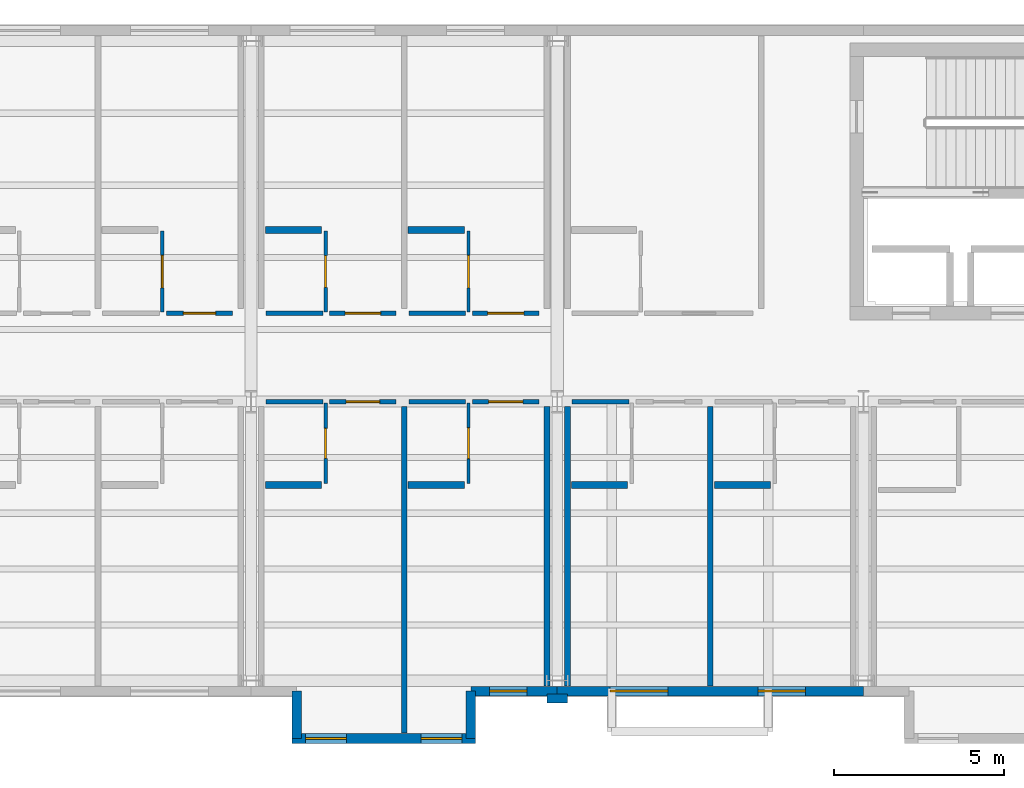
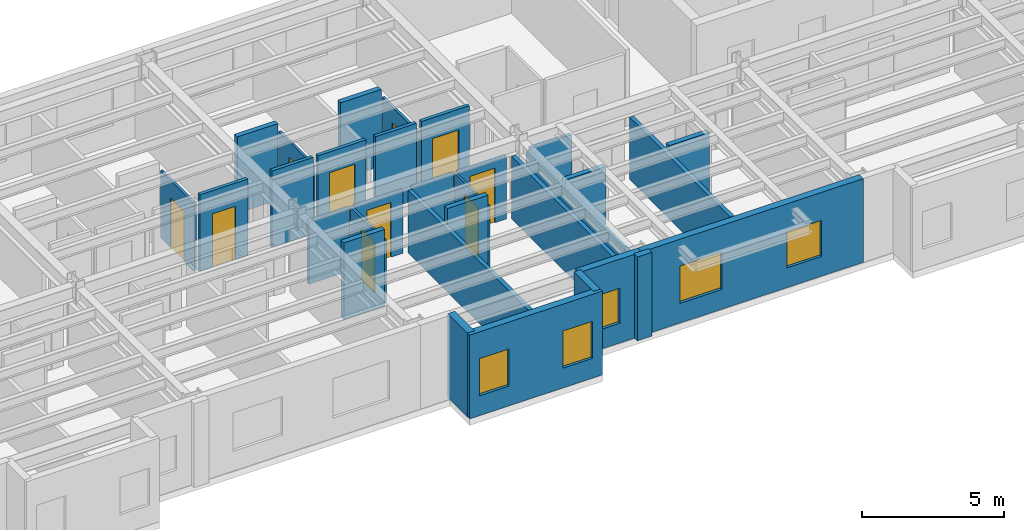
# One storey, part 14 of 27: 31 walls, 10 doors, 5 windows, 15 openings.
"""IFC4 building model written with IfcOpenShell, lengths in metres."""

from ifc_helpers import new_model, si_unit, direction, frame, frame_2d, origin, place, context, subcontext, project, spatial, rectangle, extrude, material, layer, layer_set, type_object, element, fill, save


model = new_model("IFC4")

# Units and contexts
model_context = context("Model", 3, precision=1e-05, world=origin(), true_north=direction((0.0, 1.0)))
body_context = subcontext(model_context, "Body", "Model", "MODEL_VIEW")
ifc_project = project(units=[si_unit("LENGTHUNIT", "METRE"), si_unit("AREAUNIT", "SQUARE_METRE"), si_unit("VOLUMEUNIT", "CUBIC_METRE"), si_unit("PLANEANGLEUNIT", "RADIAN"), si_unit("MASSUNIT", "GRAM", prefix="KILO")], contexts=[model_context])

# Site, building, storey
site_placement = place(None, origin())
site = spatial("IfcSite", under=ifc_project, at=site_placement, CompositionType="ELEMENT")
building_placement = place(site_placement, origin())
building = spatial("IfcBuilding", under=site, at=building_placement, Name="Sollismere Congress Hotel", CompositionType="ELEMENT")
storey_placement = place(building_placement, frame((0.0, 0.0, 27.0)))
storey = spatial("IfcBuildingStorey", under=building, at=storey_placement, Name="L06", CompositionType="ELEMENT", Elevation=27.0)

# Wall, opening, window
ifc_material_1 = material(Name="Colorado Buff Sandstone Rainscreen on Insulated Backup", Category="masonry")
ifc_layer_1 = layer(ifc_material_1, 0.284912109375, Name="Colorado Buff Sandstone Rainscreen on Insulated Backup")
ifc_layer_set_1 = layer_set([ifc_layer_1], Name="Colorado Buff Sandstone Rainscreen on Insulated Backup")
wall_type_1 = type_object("IfcWallType", Name="WL-EXT285", PredefinedType="STANDARD", material=ifc_layer_set_1)
wall_1_placement = place(storey_placement, frame((82.4599609375, -0.31005859375, 0.0), z_axis=(0.0, 0.0, 1.0), x_axis=(1.0, 0.0, 0.0)))
wall_1 = element("IfcWall", 1, at=wall_1_placement, inside=storey, type_object=wall_type_1, Name="Exterior wall EW-L06-665", PredefinedType="STANDARD", context=body_context, shape_type="SweptSolid", body=[
    extrude(rectangle(XDim=2.5400390625, YDim=0.284912109375, at=frame_2d((1.27001953125, 0.0))), origin(), (0.0, 0.0, 1.0), 3.60009765625),
])
opening_1_placement = place(wall_1_placement, frame((0.544921875, 0.0, 0.85009765625)))
opening_1 = element("IfcOpeningElement", 2, at=opening_1_placement, cuts=wall_1, Name="Opening W-L06-493", PredefinedType="OPENING", context=body_context, shape_type="SweptSolid", body=[
    extrude(rectangle(XDim=1.10009765625, YDim=1.5, at=frame_2d((0.550048828125, 0.75))), frame((0.0, 0.15234375, 0.0), z_axis=(0.0, -1.0, 0.0), x_axis=(1.0, 0.0, 0.0)), (0.0, 0.0, 1.0), 0.304931640625),
])
ifc_material_2 = material(Name="Thermally Broken Bronze Aluminum & Low-E Glass", Category="aluminium")
window_type_1 = type_object("IfcWindowType", Name="WN-P110x150", PartitioningType="SINGLE_PANEL", PredefinedType="WINDOW", material=ifc_material_2)
window_1_placement = place(opening_1_placement, origin())
window_1 = element("IfcWindow", 3, at=window_1_placement, inside=storey, type_object=window_type_1, Name="WIN-W-L06-493", OverallHeight=1.5, OverallWidth=1.10009765625, PartitioningType="SINGLE_PANEL", PredefinedType="WINDOW", context=body_context, shape_type="SweptSolid", body=[
    extrude(rectangle(XDim=1.10009765625, YDim=1.5, at=frame_2d((0.550048828125, 0.75))), frame((0.0, 0.030029296875, 0.0), z_axis=(0.0, -1.0, 0.0), x_axis=(1.0, 0.0, 0.0)), (0.0, 0.0, 1.0), 0.06005859375),
])
fill(opening_1, window_1)

# Wall, openings, windows
wall_2_placement = place(storey_placement, frame((77.199951171875, -1.699951171875, 0.0), z_axis=(0.0, 0.0, 1.0), x_axis=(1.0, 0.0, 0.0)))
wall_2 = element("IfcWall", 4, at=wall_2_placement, inside=storey, type_object=wall_type_1, Name="Exterior wall EW-L06-666", PredefinedType="STANDARD", context=body_context, shape_type="SweptSolid", body=[
    extrude(rectangle(XDim=5.400146484375, YDim=0.284912109375, at=frame_2d((2.7001953125, 0.0))), origin(), (0.0, 0.0, 1.0), 3.60009765625),
])
opening_2_placement = place(wall_2_placement, frame((0.39990234375, 0.0, 0.85009765625)))
opening_2 = element("IfcOpeningElement", 5, at=opening_2_placement, cuts=wall_2, Name="Opening W-L06-494", PredefinedType="OPENING", context=body_context, shape_type="SweptSolid", body=[
    extrude(rectangle(XDim=1.199951171875, YDim=1.60009765625, at=frame_2d((0.60009765625, 0.800048828125))), frame((0.0, 0.15234375, 0.0), z_axis=(0.0, -1.0, 0.0), x_axis=(1.0, 0.0, 0.0)), (0.0, 0.0, 1.0), 0.304931640625),
])
opening_3_placement = place(wall_2_placement, frame((3.800048828125, 0.0, 0.85009765625)))
opening_3 = element("IfcOpeningElement", 6, at=opening_3_placement, cuts=wall_2, Name="Opening W-L06-495", PredefinedType="OPENING", context=body_context, shape_type="SweptSolid", body=[
    extrude(rectangle(XDim=1.199951171875, YDim=1.60009765625, at=frame_2d((0.60009765625, 0.800048828125))), frame((0.0, 0.15234375, 0.0), z_axis=(0.0, -1.0, 0.0), x_axis=(1.0, 0.0, 0.0)), (0.0, 0.0, 1.0), 0.304931640625),
])
window_type_2 = type_object("IfcWindowType", Name="WN-P120x160", PartitioningType="SINGLE_PANEL", PredefinedType="WINDOW", material=ifc_material_2)
window_2_placement = place(opening_2_placement, origin())
window_2 = element("IfcWindow", 7, at=window_2_placement, inside=storey, type_object=window_type_2, Name="WIN-W-L06-494", OverallHeight=1.60009765625, OverallWidth=1.199951171875, PartitioningType="SINGLE_PANEL", PredefinedType="WINDOW", context=body_context, shape_type="SweptSolid", body=[
    extrude(rectangle(XDim=1.199951171875, YDim=1.60009765625, at=frame_2d((0.60009765625, 0.800048828125))), frame((0.0, 0.030029296875, 0.0), z_axis=(0.0, -1.0, 0.0), x_axis=(1.0, 0.0, 0.0)), (0.0, 0.0, 1.0), 0.06005859375),
])
fill(opening_2, window_2)
window_3_placement = place(opening_3_placement, origin())
window_3 = element("IfcWindow", 8, at=window_3_placement, inside=storey, type_object=window_type_2, Name="WIN-W-L06-495", OverallHeight=1.60009765625, OverallWidth=1.199951171875, PartitioningType="SINGLE_PANEL", PredefinedType="WINDOW", context=body_context, shape_type="SweptSolid", body=[
    extrude(rectangle(XDim=1.199951171875, YDim=1.60009765625, at=frame_2d((0.60009765625, 0.800048828125))), frame((0.0, 0.030029296875, 0.0), z_axis=(0.0, -1.0, 0.0), x_axis=(1.0, 0.0, 0.0)), (0.0, 0.0, 1.0), 0.06005859375),
])
fill(opening_3, window_3)

# Walls
for number, where, z_axis, x_axis, name in (
    (9, (77.340087890625, -0.31005859375, 0.0), (0.0, 0.0, 1.0), (0.0, -1.0, 0.0), "Exterior wall EW-L06-667"),
    (10, (82.4599609375, -1.699951171875, 0.0), (0.0, 0.0, 1.0), (0.0, 1.0, 0.0), "Exterior wall EW-L06-668"),
):
    element("IfcWall", number, at=place(storey_placement, frame(where, z_axis=z_axis, x_axis=x_axis)), inside=storey, type_object=wall_type_1, Name=name, PredefinedType="STANDARD", context=body_context, shape_type="SweptSolid", body=[
        extrude(rectangle(XDim=1.389892578125, YDim=0.284912109375, at=frame_2d((0.69482421875, 0.0))), origin(), (0.0, 0.0, 1.0), 3.60009765625),
    ])

# Wall, openings, windows
wall_3_placement = place(storey_placement, frame((85.0, -0.31005859375, 0.0), z_axis=(0.0, 0.0, 1.0), x_axis=(1.0, 0.0, 0.0)))
wall_3 = element("IfcWall", 11, at=wall_3_placement, inside=storey, type_object=wall_type_1, Name="Exterior wall EW-L06-669", PredefinedType="STANDARD", context=body_context, shape_type="SweptSolid", body=[
    extrude(rectangle(XDim=9.0, YDim=0.284912109375, at=frame_2d((4.5, 0.0))), origin(), (0.0, 0.0, 1.0), 3.60009765625),
])
opening_4_placement = place(wall_3_placement, frame((1.550048828125, 0.0, 0.85009765625)))
opening_4 = element("IfcOpeningElement", 12, at=opening_4_placement, cuts=wall_3, Name="Opening W-L06-496", PredefinedType="OPENING", context=body_context, shape_type="SweptSolid", body=[
    extrude(rectangle(XDim=1.699951171875, YDim=1.60009765625, at=frame_2d((0.85009765625, 0.800048828125))), frame((0.0, 0.15234375, 0.0), z_axis=(0.0, -1.0, 0.0), x_axis=(1.0, 0.0, 0.0)), (0.0, 0.0, 1.0), 0.304931640625),
])
opening_5_placement = place(wall_3_placement, frame((5.89990234375, 0.0, 0.85009765625)))
opening_5 = element("IfcOpeningElement", 13, at=opening_5_placement, cuts=wall_3, Name="Opening W-L06-497", PredefinedType="OPENING", context=body_context, shape_type="SweptSolid", body=[
    extrude(rectangle(XDim=1.39990234375, YDim=1.550048828125, at=frame_2d((0.699951171875, 0.77490234375))), frame((0.0, 0.15234375, 0.0), z_axis=(0.0, -1.0, 0.0), x_axis=(1.0, 0.0, 0.0)), (0.0, 0.0, 1.0), 0.304931640625),
])
window_type_3 = type_object("IfcWindowType", Name="WN-P140x155", PartitioningType="SINGLE_PANEL", PredefinedType="WINDOW", material=ifc_material_2)
window_4_placement = place(opening_5_placement, origin())
window_4 = element("IfcWindow", 14, at=window_4_placement, inside=storey, type_object=window_type_3, Name="WIN-W-L06-497", OverallHeight=1.550048828125, OverallWidth=1.39990234375, PartitioningType="SINGLE_PANEL", PredefinedType="WINDOW", context=body_context, shape_type="SweptSolid", body=[
    extrude(rectangle(XDim=1.39990234375, YDim=1.550048828125, at=frame_2d((0.699951171875, 0.77490234375))), frame((0.0, 0.030029296875, 0.0), z_axis=(0.0, -1.0, 0.0), x_axis=(1.0, 0.0, 0.0)), (0.0, 0.0, 1.0), 0.06005859375),
])
fill(opening_5, window_4)
window_type_4 = type_object("IfcWindowType", Name="WN-P170x160", PartitioningType="SINGLE_PANEL", PredefinedType="WINDOW", material=ifc_material_2)
window_5_placement = place(opening_4_placement, origin())
window_5 = element("IfcWindow", 15, at=window_5_placement, inside=storey, type_object=window_type_4, Name="WIN-W-L06-496", OverallHeight=1.60009765625, OverallWidth=1.699951171875, PartitioningType="SINGLE_PANEL", PredefinedType="WINDOW", context=body_context, shape_type="SweptSolid", body=[
    extrude(rectangle(XDim=1.699951171875, YDim=1.60009765625, at=frame_2d((0.85009765625, 0.800048828125))), frame((0.0, 0.030029296875, 0.0), z_axis=(0.0, -1.0, 0.0), x_axis=(1.0, 0.0, 0.0)), (0.0, 0.0, 1.0), 0.06005859375),
])
fill(opening_4, window_5)

# Walls
ifc_material_3 = material(Name="Carved Travertine Pilaster & Frieze Assembly", Category="masonry")
ifc_layer_2 = layer(ifc_material_3, 0.260009765625, Name="Carved Travertine Pilaster & Frieze Assembly")
ifc_layer_set_2 = layer_set([ifc_layer_2], Name="Carved Travertine Pilaster & Frieze Assembly")
wall_type_2 = type_object("IfcWallType", Name="WL-PIL280", PredefinedType="ELEMENTEDWALL", material=ifc_layer_set_2)
wall_4_placement = place(storey_placement, frame((84.699951171875, -0.52001953125, 0.0), z_axis=(0.0, 0.0, 1.0), x_axis=(1.0, 0.0, 0.0)))
element("IfcWall", 16, at=wall_4_placement, inside=storey, type_object=wall_type_2, Name="Exterior wall EW-L06-670", PredefinedType="ELEMENTEDWALL", context=body_context, shape_type="SweptSolid", body=[
    extrude(rectangle(XDim=0.60009765625, YDim=0.260009765625, at=frame_2d((0.300048828125, 0.0))), origin(), (0.0, 0.0, 1.0), 3.60009765625),
])
ifc_material_4 = material(Name="Moisture-Resistant Shaft Gypsum Assembly")
ifc_layer_3 = layer(ifc_material_4, 0.199951171875, Name="Moisture-Resistant Shaft Gypsum Assembly")
ifc_layer_set_3 = layer_set([ifc_layer_3], Name="Moisture-Resistant Shaft Gypsum Assembly")
wall_type_3 = type_object("IfcWallType", Name="WL-PLM200", PredefinedType="PLUMBINGWALL", material=ifc_layer_set_3)
wall_5_placement = place(storey_placement, frame((76.419921875, 5.75, 0.0), z_axis=(0.0, 0.0, 1.0), x_axis=(1.0, 0.0, 0.0)))
element("IfcWall", 17, at=wall_5_placement, inside=storey, type_object=wall_type_3, Name="Interior wall IW-L06-2044", PredefinedType="PLUMBINGWALL", context=body_context, shape_type="SweptSolid", body=[
    extrude(rectangle(XDim=1.650146484375, YDim=0.199951171875, at=frame_2d((0.8251953125, 0.0))), origin(), (0.0, 0.0, 1.0), 3.2900390625),
])
wall_6_placement = place(storey_placement, frame((80.6201171875, 5.75, 0.0), z_axis=(0.0, 0.0, 1.0), x_axis=(1.0, 0.0, 0.0)))
element("IfcWall", 18, at=wall_6_placement, inside=storey, type_object=wall_type_3, Name="Interior wall IW-L06-2049", PredefinedType="PLUMBINGWALL", context=body_context, shape_type="SweptSolid", body=[
    extrude(rectangle(XDim=1.64990234375, YDim=0.199951171875, at=frame_2d((0.824951171875, 0.0))), origin(), (0.0, 0.0, 1.0), 3.2900390625),
])
wall_7_placement = place(storey_placement, frame((76.419921875, 13.25, 0.0), z_axis=(0.0, 0.0, 1.0), x_axis=(1.0, 0.0, 0.0)))
element("IfcWall", 19, at=wall_7_placement, inside=storey, type_object=wall_type_3, Name="Interior wall IW-L06-2055", PredefinedType="PLUMBINGWALL", context=body_context, shape_type="SweptSolid", body=[
    extrude(rectangle(XDim=1.650146484375, YDim=0.199951171875, at=frame_2d((0.8251953125, 0.0))), origin(), (0.0, 0.0, 1.0), 3.2900390625),
])
wall_8_placement = place(storey_placement, frame((80.6201171875, 13.25, 0.0), z_axis=(0.0, 0.0, 1.0), x_axis=(1.0, 0.0, 0.0)))
element("IfcWall", 20, at=wall_8_placement, inside=storey, type_object=wall_type_3, Name="Interior wall IW-L06-2060", PredefinedType="PLUMBINGWALL", context=body_context, shape_type="SweptSolid", body=[
    extrude(rectangle(XDim=1.64990234375, YDim=0.199951171875, at=frame_2d((0.824951171875, 0.0))), origin(), (0.0, 0.0, 1.0), 3.2900390625),
])
wall_9_placement = place(storey_placement, frame((85.419921875, 5.75, 0.0), z_axis=(0.0, 0.0, 1.0), x_axis=(1.0, 0.0, 0.0)))
element("IfcWall", 21, at=wall_9_placement, inside=storey, type_object=wall_type_3, Name="Interior wall IW-L06-2066", PredefinedType="PLUMBINGWALL", context=body_context, shape_type="SweptSolid", body=[
    extrude(rectangle(XDim=1.650146484375, YDim=0.199951171875, at=frame_2d((0.8251953125, 0.0))), origin(), (0.0, 0.0, 1.0), 2.843017578125),
])
wall_10_placement = place(storey_placement, frame((89.6201171875, 5.75, 0.0), z_axis=(0.0, 0.0, 1.0), x_axis=(1.0, 0.0, 0.0)))
element("IfcWall", 22, at=wall_10_placement, inside=storey, type_object=wall_type_3, Name="Interior wall IW-L06-2071", PredefinedType="PLUMBINGWALL", context=body_context, shape_type="SweptSolid", body=[
    extrude(rectangle(XDim=1.64990234375, YDim=0.199951171875, at=frame_2d((0.824951171875, 0.0))), origin(), (0.0, 0.0, 1.0), 2.843017578125),
])

# Wall, opening, door
ifc_material_5 = material(Name="Moisture-Resistant Gypsum Partition")
ifc_layer_4 = layer(ifc_material_5, 0.10009765625, Name="Moisture-Resistant Gypsum Partition")
ifc_layer_set_4 = layer_set([ifc_layer_4], Name="Moisture-Resistant Gypsum Partition")
wall_type_4 = type_object("IfcWallType", Name="WL-PRT100", PredefinedType="PARTITIONING", material=ifc_layer_set_4)
wall_11_placement = place(storey_placement, frame((73.389892578125, 10.840087890625, 0.0), z_axis=(0.0, 0.0, 1.0), x_axis=(0.0, 1.0, 0.0)))
wall_11 = element("IfcWall", 23, at=wall_11_placement, inside=storey, type_object=wall_type_4, Name="Interior wall IW-L06-2037", PredefinedType="PARTITIONING", context=body_context, shape_type="SweptSolid", body=[
    extrude(rectangle(XDim=2.369873046875, YDim=0.10009765625, at=frame_2d((1.18505859375, 0.0))), origin(), (0.0, 0.0, 1.0), 2.89794921875),
])
opening_6_placement = place(wall_11_placement, frame((0.7080078125, 0.0, 0.0)))
opening_6 = element("IfcOpeningElement", 24, at=opening_6_placement, cuts=wall_11, Name="Opening D-L06-0719", PredefinedType="OPENING", context=body_context, shape_type="SweptSolid", body=[
    extrude(rectangle(XDim=0.955078125, YDim=2.139892578125, at=frame_2d((0.4775390625, 1.06982421875))), frame((0.0, 0.06005859375, 0.0), z_axis=(0.0, -1.0, 0.0), x_axis=(1.0, 0.0, 0.0)), (0.0, 0.0, 1.0), 0.1201171875),
])
ifc_material_6 = material(Name="Moisture-Sealed Timber Bathroom Door", Category="wood")
door_type_1 = type_object("IfcDoorType", Name="DR-BT04", OperationType="NOTDEFINED", PredefinedType="DOOR", material=ifc_material_6)
door_1_placement = place(opening_6_placement, origin())
door_1 = element("IfcDoor", 25, at=door_1_placement, inside=storey, type_object=door_type_1, Name="En-suite bathroom door D-L06-0719", OperationType="SINGLE_SWING_RIGHT", OverallHeight=2.139892578125, OverallWidth=0.955078125, PredefinedType="DOOR", context=body_context, shape_type="SweptSolid", body=[
    extrude(rectangle(XDim=0.955078125, YDim=2.139892578125, at=frame_2d((0.4775390625, 1.06982421875))), frame((0.0, 0.02490234375, 0.0), z_axis=(0.0, -1.0, 0.0), x_axis=(1.0, 0.0, 0.0)), (0.0, 0.0, 1.0), 0.050048828125),
])
fill(opening_6, door_1)

wall_12_placement = place(storey_placement, frame((78.18994140625, 5.7900390625, 0.0), z_axis=(0.0, 0.0, 1.0), x_axis=(0.0, 1.0, 0.0)))
wall_12 = element("IfcWall", 26, at=wall_12_placement, inside=storey, type_object=wall_type_4, Name="Interior wall IW-L06-2043", PredefinedType="PARTITIONING", context=body_context, shape_type="SweptSolid", body=[
    extrude(rectangle(XDim=2.369873046875, YDim=0.10009765625, at=frame_2d((1.18505859375, 0.0))), origin(), (0.0, 0.0, 1.0), 2.702880859375),
])
opening_7_placement = place(wall_12_placement, frame((0.7451171875, 0.0, 0.0)))
opening_7 = element("IfcOpeningElement", 27, at=opening_7_placement, cuts=wall_12, Name="Opening D-L06-0721", PredefinedType="OPENING", context=body_context, shape_type="SweptSolid", body=[
    extrude(rectangle(XDim=0.8798828125, YDim=2.179931640625, at=frame_2d((0.43994140625, 1.08984375))), frame((0.0, 0.06005859375, 0.0), z_axis=(0.0, -1.0, 0.0), x_axis=(1.0, 0.0, 0.0)), (0.0, 0.0, 1.0), 0.1201171875),
])
door_type_2 = type_object("IfcDoorType", Name="DR-BT05", OperationType="NOTDEFINED", PredefinedType="DOOR", material=ifc_material_6)
door_2_placement = place(opening_7_placement, origin())
door_2 = element("IfcDoor", 28, at=door_2_placement, inside=storey, type_object=door_type_2, Name="En-suite bathroom door D-L06-0721", OperationType="SINGLE_SWING_RIGHT", OverallHeight=2.179931640625, OverallWidth=0.8798828125, PredefinedType="DOOR", context=body_context, shape_type="SweptSolid", body=[
    extrude(rectangle(XDim=0.8798828125, YDim=2.179931640625, at=frame_2d((0.43994140625, 1.08984375))), frame((0.0, 0.02490234375, 0.0), z_axis=(0.0, -1.0, 0.0), x_axis=(1.0, 0.0, 0.0)), (0.0, 0.0, 1.0), 0.050048828125),
])
fill(opening_7, door_2)

wall_13_placement = place(storey_placement, frame((82.389892578125, 5.7900390625, 0.0), z_axis=(0.0, 0.0, 1.0), x_axis=(0.0, 1.0, 0.0)))
wall_13 = element("IfcWall", 29, at=wall_13_placement, inside=storey, type_object=wall_type_4, Name="Interior wall IW-L06-2048", PredefinedType="PARTITIONING", context=body_context, shape_type="SweptSolid", body=[
    extrude(rectangle(XDim=2.369873046875, YDim=0.10009765625, at=frame_2d((1.18505859375, 0.0))), origin(), (0.0, 0.0, 1.0), 2.702880859375),
])
opening_8_placement = place(wall_13_placement, frame((0.73291015625, 0.0, 0.0)))
opening_8 = element("IfcOpeningElement", 30, at=opening_8_placement, cuts=wall_13, Name="Opening D-L06-0723", PredefinedType="OPENING", context=body_context, shape_type="SweptSolid", body=[
    extrude(rectangle(XDim=0.905029296875, YDim=2.179931640625, at=frame_2d((0.45263671875, 1.08984375))), frame((0.0, 0.06005859375, 0.0), z_axis=(0.0, -1.0, 0.0), x_axis=(1.0, 0.0, 0.0)), (0.0, 0.0, 1.0), 0.1201171875),
])
door_type_3 = type_object("IfcDoorType", Name="DR-BT06", OperationType="NOTDEFINED", PredefinedType="DOOR", material=ifc_material_6)
door_3_placement = place(opening_8_placement, origin())
door_3 = element("IfcDoor", 31, at=door_3_placement, inside=storey, type_object=door_type_3, Name="En-suite bathroom door D-L06-0723", OperationType="SINGLE_SWING_RIGHT", OverallHeight=2.179931640625, OverallWidth=0.905029296875, PredefinedType="DOOR", context=body_context, shape_type="SweptSolid", body=[
    extrude(rectangle(XDim=0.905029296875, YDim=2.179931640625, at=frame_2d((0.45263671875, 1.08984375))), frame((0.0, 0.02490234375, 0.0), z_axis=(0.0, -1.0, 0.0), x_axis=(1.0, 0.0, 0.0)), (0.0, 0.0, 1.0), 0.050048828125),
])
fill(opening_8, door_3)

wall_14_placement = place(storey_placement, frame((78.18994140625, 10.840087890625, 0.0), z_axis=(0.0, 0.0, 1.0), x_axis=(0.0, 1.0, 0.0)))
wall_14 = element("IfcWall", 32, at=wall_14_placement, inside=storey, type_object=wall_type_4, Name="Interior wall IW-L06-2054", PredefinedType="PARTITIONING", context=body_context, shape_type="SweptSolid", body=[
    extrude(rectangle(XDim=2.369873046875, YDim=0.10009765625, at=frame_2d((1.18505859375, 0.0))), origin(), (0.0, 0.0, 1.0), 2.89794921875),
])
opening_9_placement = place(wall_14_placement, frame((0.719970703125, 0.0, 0.0)))
opening_9 = element("IfcOpeningElement", 33, at=opening_9_placement, cuts=wall_14, Name="Opening D-L06-0725", PredefinedType="OPENING", context=body_context, shape_type="SweptSolid", body=[
    extrude(rectangle(XDim=0.929931640625, YDim=2.219970703125, at=frame_2d((0.46484375, 1.10986328125))), frame((0.0, 0.06005859375, 0.0), z_axis=(0.0, -1.0, 0.0), x_axis=(1.0, 0.0, 0.0)), (0.0, 0.0, 1.0), 0.1201171875),
])
door_type_4 = type_object("IfcDoorType", Name="DR-BT07", OperationType="NOTDEFINED", PredefinedType="DOOR", material=ifc_material_6)
door_4_placement = place(opening_9_placement, origin())
door_4 = element("IfcDoor", 34, at=door_4_placement, inside=storey, type_object=door_type_4, Name="En-suite bathroom door D-L06-0725", OperationType="SINGLE_SWING_RIGHT", OverallHeight=2.219970703125, OverallWidth=0.929931640625, PredefinedType="DOOR", context=body_context, shape_type="SweptSolid", body=[
    extrude(rectangle(XDim=0.929931640625, YDim=2.219970703125, at=frame_2d((0.46484375, 1.10986328125))), frame((0.0, 0.02490234375, 0.0), z_axis=(0.0, -1.0, 0.0), x_axis=(1.0, 0.0, 0.0)), (0.0, 0.0, 1.0), 0.050048828125),
])
fill(opening_9, door_4)

wall_15_placement = place(storey_placement, frame((82.389892578125, 10.840087890625, 0.0), z_axis=(0.0, 0.0, 1.0), x_axis=(0.0, 1.0, 0.0)))
wall_15 = element("IfcWall", 35, at=wall_15_placement, inside=storey, type_object=wall_type_4, Name="Interior wall IW-L06-2059", PredefinedType="PARTITIONING", context=body_context, shape_type="SweptSolid", body=[
    extrude(rectangle(XDim=2.369873046875, YDim=0.10009765625, at=frame_2d((1.18505859375, 0.0))), origin(), (0.0, 0.0, 1.0), 2.89794921875),
])
opening_10_placement = place(wall_15_placement, frame((0.7080078125, 0.0, 0.0)))
opening_10 = element("IfcOpeningElement", 36, at=opening_10_placement, cuts=wall_15, Name="Opening D-L06-0727", PredefinedType="OPENING", context=body_context, shape_type="SweptSolid", body=[
    extrude(rectangle(XDim=0.955078125, YDim=2.219970703125, at=frame_2d((0.4775390625, 1.10986328125))), frame((0.0, 0.06005859375, 0.0), z_axis=(0.0, -1.0, 0.0), x_axis=(1.0, 0.0, 0.0)), (0.0, 0.0, 1.0), 0.1201171875),
])
door_type_5 = type_object("IfcDoorType", Name="DR-BT08", OperationType="NOTDEFINED", PredefinedType="DOOR", material=ifc_material_6)
door_5_placement = place(opening_10_placement, origin())
door_5 = element("IfcDoor", 37, at=door_5_placement, inside=storey, type_object=door_type_5, Name="En-suite bathroom door D-L06-0727", OperationType="SINGLE_SWING_RIGHT", OverallHeight=2.219970703125, OverallWidth=0.955078125, PredefinedType="DOOR", context=body_context, shape_type="SweptSolid", body=[
    extrude(rectangle(XDim=0.955078125, YDim=2.219970703125, at=frame_2d((0.4775390625, 1.10986328125))), frame((0.0, 0.02490234375, 0.0), z_axis=(0.0, -1.0, 0.0), x_axis=(1.0, 0.0, 0.0)), (0.0, 0.0, 1.0), 0.050048828125),
])
fill(opening_10, door_5)

ifc_material_7 = material(Name="Fire-Rated Gypsum Partition")
ifc_layer_5 = layer(ifc_material_7, 0.139892578125, Name="Fire-Rated Gypsum Partition")
ifc_layer_set_5 = layer_set([ifc_layer_5], Name="Fire-Rated Gypsum Partition")
wall_type_5 = type_object("IfcWallType", Name="WL-PRT140R", PredefinedType="PARTITIONING", material=ifc_layer_set_5)
wall_16_placement = place(storey_placement, frame((73.510009765625, 10.800048828125, 0.0), z_axis=(0.0, 0.0, 1.0), x_axis=(1.0, 0.0, 0.0)))
wall_16 = element("IfcWall", 38, at=wall_16_placement, inside=storey, type_object=wall_type_5, Name="Interior wall IW-L06-2035", PredefinedType="PARTITIONING", context=body_context, shape_type="SweptSolid", body=[
    extrude(rectangle(XDim=1.949951171875, YDim=0.139892578125, at=frame_2d((0.97509765625, 0.0))), origin(), (0.0, 0.0, 1.0), 3.2900390625),
])
opening_11_placement = place(wall_16_placement, frame((0.5, 0.0, 0.0)))
opening_11 = element("IfcOpeningElement", 39, at=opening_11_placement, cuts=wall_16, Name="Opening D-L06-0718", PredefinedType="OPENING", context=body_context, shape_type="SweptSolid", body=[
    extrude(rectangle(XDim=0.949951171875, YDim=2.300048828125, at=frame_2d((0.47509765625, 1.14990234375))), frame((0.0, 0.079833984375, 0.0), z_axis=(0.0, -1.0, 0.0), x_axis=(1.0, 0.0, 0.0)), (0.0, 0.0, 1.0), 0.159912109375),
])
ifc_material_8 = material(Name="Solid-Core Acoustic Walnut Guestroom Entry Door")
door_type_6 = type_object("IfcDoorType", Name="DR-KY08", OperationType="NOTDEFINED", PredefinedType="DOOR", material=ifc_material_8)
door_6_placement = place(opening_11_placement, origin())
door_6 = element("IfcDoor", 40, at=door_6_placement, inside=storey, type_object=door_type_6, Name="Hotel room entry door D-L06-0718", OperationType="SINGLE_SWING_LEFT", OverallHeight=2.300048828125, OverallWidth=0.949951171875, PredefinedType="DOOR", context=body_context, shape_type="SweptSolid", body=[
    extrude(rectangle(XDim=0.949951171875, YDim=2.300048828125, at=frame_2d((0.47509765625, 1.14990234375))), frame((0.0, 0.02490234375, 0.0), z_axis=(0.0, -1.0, 0.0), x_axis=(1.0, 0.0, 0.0)), (0.0, 0.0, 1.0), 0.050048828125),
])
fill(opening_11, door_6)

# Wall
wall_17_placement = place(storey_placement, frame((76.43994140625, 8.199951171875, 0.0), z_axis=(0.0, 0.0, 1.0), x_axis=(1.0, 0.0, 0.0)))
element("IfcWall", 41, at=wall_17_placement, inside=storey, type_object=wall_type_5, Name="Interior wall IW-L06-2039", PredefinedType="PARTITIONING", context=body_context, shape_type="SweptSolid", body=[
    extrude(rectangle(XDim=1.670166015625, YDim=0.139892578125, at=frame_2d((0.8349609375, 0.0))), origin(), (0.0, 0.0, 1.0), 2.702880859375),
])

# Wall, opening, door
wall_18_placement = place(storey_placement, frame((78.31005859375, 8.199951171875, 0.0), z_axis=(0.0, 0.0, 1.0), x_axis=(1.0, 0.0, 0.0)))
wall_18 = element("IfcWall", 42, at=wall_18_placement, inside=storey, type_object=wall_type_5, Name="Interior wall IW-L06-2040", PredefinedType="PARTITIONING", context=body_context, shape_type="SweptSolid", body=[
    extrude(rectangle(XDim=1.949951171875, YDim=0.139892578125, at=frame_2d((0.97509765625, 0.0))), origin(), (0.0, 0.0, 1.0), 2.702880859375),
])
opening_12_placement = place(wall_18_placement, frame((0.485107421875, 0.0, 0.0)))
opening_12 = element("IfcOpeningElement", 43, at=opening_12_placement, cuts=wall_18, Name="Opening D-L06-0720", PredefinedType="OPENING", context=body_context, shape_type="SweptSolid", body=[
    extrude(rectangle(XDim=0.97998046875, YDim=2.35009765625, at=frame_2d((0.489990234375, 1.175048828125))), frame((0.0, 0.079833984375, 0.0), z_axis=(0.0, -1.0, 0.0), x_axis=(1.0, 0.0, 0.0)), (0.0, 0.0, 1.0), 0.159912109375),
])
door_type_7 = type_object("IfcDoorType", Name="DR-KY09", OperationType="NOTDEFINED", PredefinedType="DOOR", material=ifc_material_8)
door_7_placement = place(opening_12_placement, origin())
door_7 = element("IfcDoor", 44, at=door_7_placement, inside=storey, type_object=door_type_7, Name="Hotel room entry door D-L06-0720", OperationType="SINGLE_SWING_LEFT", OverallHeight=2.35009765625, OverallWidth=0.97998046875, PredefinedType="DOOR", context=body_context, shape_type="SweptSolid", body=[
    extrude(rectangle(XDim=0.97998046875, YDim=2.35009765625, at=frame_2d((0.489990234375, 1.175048828125))), frame((0.0, 0.02490234375, 0.0), z_axis=(0.0, -1.0, 0.0), x_axis=(1.0, 0.0, 0.0)), (0.0, 0.0, 1.0), 0.050048828125),
])
fill(opening_12, door_7)

# Wall
wall_19_placement = place(storey_placement, frame((80.639892578125, 8.199951171875, 0.0), z_axis=(0.0, 0.0, 1.0), x_axis=(1.0, 0.0, 0.0)))
element("IfcWall", 45, at=wall_19_placement, inside=storey, type_object=wall_type_5, Name="Interior wall IW-L06-2045", PredefinedType="PARTITIONING", context=body_context, shape_type="SweptSolid", body=[
    extrude(rectangle(XDim=1.670166015625, YDim=0.139892578125, at=frame_2d((0.8349609375, 0.0))), origin(), (0.0, 0.0, 1.0), 2.702880859375),
])

# Wall, opening, door
wall_20_placement = place(storey_placement, frame((82.510009765625, 8.199951171875, 0.0), z_axis=(0.0, 0.0, 1.0), x_axis=(1.0, 0.0, 0.0)))
wall_20 = element("IfcWall", 46, at=wall_20_placement, inside=storey, type_object=wall_type_5, Name="Interior wall IW-L06-2046", PredefinedType="PARTITIONING", context=body_context, shape_type="SweptSolid", body=[
    extrude(rectangle(XDim=1.949951171875, YDim=0.139892578125, at=frame_2d((0.97509765625, 0.0))), origin(), (0.0, 0.0, 1.0), 2.702880859375),
])
opening_13_placement = place(wall_20_placement, frame((0.469970703125, 0.0, 0.0)))
opening_13 = element("IfcOpeningElement", 47, at=opening_13_placement, cuts=wall_20, Name="Opening D-L06-0722", PredefinedType="OPENING", context=body_context, shape_type="SweptSolid", body=[
    extrude(rectangle(XDim=1.010009765625, YDim=2.35009765625, at=frame_2d((0.5048828125, 1.175048828125))), frame((0.0, 0.079833984375, 0.0), z_axis=(0.0, -1.0, 0.0), x_axis=(1.0, 0.0, 0.0)), (0.0, 0.0, 1.0), 0.159912109375),
])
door_type_8 = type_object("IfcDoorType", Name="DR-KY10", OperationType="NOTDEFINED", PredefinedType="DOOR", material=ifc_material_8)
door_8_placement = place(opening_13_placement, origin())
door_8 = element("IfcDoor", 48, at=door_8_placement, inside=storey, type_object=door_type_8, Name="Hotel room entry door D-L06-0722", OperationType="SINGLE_SWING_LEFT", OverallHeight=2.35009765625, OverallWidth=1.010009765625, PredefinedType="DOOR", context=body_context, shape_type="SweptSolid", body=[
    extrude(rectangle(XDim=1.010009765625, YDim=2.35009765625, at=frame_2d((0.5048828125, 1.175048828125))), frame((0.0, 0.02490234375, 0.0), z_axis=(0.0, -1.0, 0.0), x_axis=(1.0, 0.0, 0.0)), (0.0, 0.0, 1.0), 0.050048828125),
])
fill(opening_13, door_8)

# Wall
wall_21_placement = place(storey_placement, frame((76.43994140625, 10.800048828125, 0.0), z_axis=(0.0, 0.0, 1.0), x_axis=(1.0, 0.0, 0.0)))
element("IfcWall", 49, at=wall_21_placement, inside=storey, type_object=wall_type_5, Name="Interior wall IW-L06-2050", PredefinedType="PARTITIONING", context=body_context, shape_type="SweptSolid", body=[
    extrude(rectangle(XDim=1.670166015625, YDim=0.139892578125, at=frame_2d((0.8349609375, 0.0))), origin(), (0.0, 0.0, 1.0), 3.2900390625),
])

# Wall, opening, door
wall_22_placement = place(storey_placement, frame((78.31005859375, 10.800048828125, 0.0), z_axis=(0.0, 0.0, 1.0), x_axis=(1.0, 0.0, 0.0)))
wall_22 = element("IfcWall", 50, at=wall_22_placement, inside=storey, type_object=wall_type_5, Name="Interior wall IW-L06-2051", PredefinedType="PARTITIONING", context=body_context, shape_type="SweptSolid", body=[
    extrude(rectangle(XDim=1.949951171875, YDim=0.139892578125, at=frame_2d((0.97509765625, 0.0))), origin(), (0.0, 0.0, 1.0), 3.2900390625),
])
opening_14_placement = place(wall_22_placement, frame((0.455078125, 0.0, 0.0)))
opening_14 = element("IfcOpeningElement", 51, at=opening_14_placement, cuts=wall_22, Name="Opening D-L06-0724", PredefinedType="OPENING", context=body_context, shape_type="SweptSolid", body=[
    extrude(rectangle(XDim=1.0400390625, YDim=2.39990234375, at=frame_2d((0.52001953125, 1.199951171875))), frame((0.0, 0.079833984375, 0.0), z_axis=(0.0, -1.0, 0.0), x_axis=(1.0, 0.0, 0.0)), (0.0, 0.0, 1.0), 0.159912109375),
])
door_type_9 = type_object("IfcDoorType", Name="DR-KY11", OperationType="NOTDEFINED", PredefinedType="DOOR", material=ifc_material_8)
door_9_placement = place(opening_14_placement, origin())
door_9 = element("IfcDoor", 52, at=door_9_placement, inside=storey, type_object=door_type_9, Name="Hotel room entry door D-L06-0724", OperationType="SINGLE_SWING_LEFT", OverallHeight=2.39990234375, OverallWidth=1.0400390625, PredefinedType="DOOR", context=body_context, shape_type="SweptSolid", body=[
    extrude(rectangle(XDim=1.0400390625, YDim=2.39990234375, at=frame_2d((0.52001953125, 1.199951171875))), frame((0.0, 0.02490234375, 0.0), z_axis=(0.0, -1.0, 0.0), x_axis=(1.0, 0.0, 0.0)), (0.0, 0.0, 1.0), 0.050048828125),
])
fill(opening_14, door_9)

# Wall
wall_23_placement = place(storey_placement, frame((80.639892578125, 10.800048828125, 0.0), z_axis=(0.0, 0.0, 1.0), x_axis=(1.0, 0.0, 0.0)))
element("IfcWall", 53, at=wall_23_placement, inside=storey, type_object=wall_type_5, Name="Interior wall IW-L06-2056", PredefinedType="PARTITIONING", context=body_context, shape_type="SweptSolid", body=[
    extrude(rectangle(XDim=1.670166015625, YDim=0.139892578125, at=frame_2d((0.8349609375, 0.0))), origin(), (0.0, 0.0, 1.0), 3.2900390625),
])

# Wall, opening, door
wall_24_placement = place(storey_placement, frame((82.510009765625, 10.800048828125, 0.0), z_axis=(0.0, 0.0, 1.0), x_axis=(1.0, 0.0, 0.0)))
wall_24 = element("IfcWall", 54, at=wall_24_placement, inside=storey, type_object=wall_type_5, Name="Interior wall IW-L06-2057", PredefinedType="PARTITIONING", context=body_context, shape_type="SweptSolid", body=[
    extrude(rectangle(XDim=1.949951171875, YDim=0.139892578125, at=frame_2d((0.97509765625, 0.0))), origin(), (0.0, 0.0, 1.0), 3.2900390625),
])
opening_15_placement = place(wall_24_placement, frame((0.43994140625, 0.0, 0.0)))
opening_15 = element("IfcOpeningElement", 55, at=opening_15_placement, cuts=wall_24, Name="Opening D-L06-0726", PredefinedType="OPENING", context=body_context, shape_type="SweptSolid", body=[
    extrude(rectangle(XDim=1.070068359375, YDim=2.39990234375, at=frame_2d((0.53515625, 1.199951171875))), frame((0.0, 0.079833984375, 0.0), z_axis=(0.0, -1.0, 0.0), x_axis=(1.0, 0.0, 0.0)), (0.0, 0.0, 1.0), 0.159912109375),
])
door_type_10 = type_object("IfcDoorType", Name="DR-KY12", OperationType="NOTDEFINED", PredefinedType="DOOR", material=ifc_material_8)
door_10_placement = place(opening_15_placement, origin())
door_10 = element("IfcDoor", 56, at=door_10_placement, inside=storey, type_object=door_type_10, Name="Hotel room entry door D-L06-0726", OperationType="SINGLE_SWING_LEFT", OverallHeight=2.39990234375, OverallWidth=1.070068359375, PredefinedType="DOOR", context=body_context, shape_type="SweptSolid", body=[
    extrude(rectangle(XDim=1.070068359375, YDim=2.39990234375, at=frame_2d((0.53515625, 1.199951171875))), frame((0.0, 0.02490234375, 0.0), z_axis=(0.0, -1.0, 0.0), x_axis=(1.0, 0.0, 0.0)), (0.0, 0.0, 1.0), 0.050048828125),
])
fill(opening_15, door_10)

# Walls
wall_25_placement = place(storey_placement, frame((85.43994140625, 8.199951171875, 0.0), z_axis=(0.0, 0.0, 1.0), x_axis=(1.0, 0.0, 0.0)))
element("IfcWall", 57, at=wall_25_placement, inside=storey, type_object=wall_type_5, Name="Interior wall IW-L06-2061", PredefinedType="PARTITIONING", context=body_context, shape_type="SweptSolid", body=[
    extrude(rectangle(XDim=1.670166015625, YDim=0.139892578125, at=frame_2d((0.8349609375, 0.0))), origin(), (0.0, 0.0, 1.0), 2.702880859375),
])
ifc_material_9 = material(Name="Fire-Rated Acoustic Gypsum Partition")
ifc_layer_6 = layer(ifc_material_9, 0.1650390625, Name="Fire-Rated Acoustic Gypsum Partition")
ifc_layer_set_6 = layer_set([ifc_layer_6], Name="Fire-Rated Acoustic Gypsum Partition")
wall_type_6 = type_object("IfcWallType", Name="WL-PRT165R", PredefinedType="PARTITIONING", material=ifc_layer_set_6)
wall_26_placement = place(storey_placement, frame((80.5, -1.54248046875, 0.0), z_axis=(0.0, 0.0, 1.0), x_axis=(0.0, 1.0, 0.0)))
element("IfcWall", 58, at=wall_26_placement, inside=storey, type_object=wall_type_6, Name="Interior wall IW-L06-2042", PredefinedType="PARTITIONING", context=body_context, shape_type="SweptSolid", body=[
    extrude(rectangle(XDim=9.6025390625, YDim=0.1650390625, at=frame_2d((4.80126953125, 0.0))), origin(), (0.0, 0.0, 1.0), 2.679931640625),
])
for number, where, z_axis, x_axis, name in (
    (59, (84.699951171875, -0.152587890625, 0.0), (0.0, 0.0, 1.0), (0.0, 1.0, 0.0), "Interior wall IW-L06-2047"),
    (60, (85.300048828125, -0.152587890625, 0.0), (0.0, 0.0, 1.0), (0.0, 1.0, 0.0), "Interior wall IW-L06-2063"),
    (61, (89.5, -0.152587890625, 0.0), (0.0, 0.0, 1.0), (0.0, 1.0, 0.0), "Interior wall IW-L06-2064"),
):
    element("IfcWall", number, at=place(storey_placement, frame(where, z_axis=z_axis, x_axis=x_axis)), inside=storey, type_object=wall_type_6, Name=name, PredefinedType="PARTITIONING", context=body_context, shape_type="SweptSolid", body=[
        extrude(rectangle(XDim=8.212646484375, YDim=0.1650390625, at=frame_2d((4.1064453125, 0.0))), origin(), (0.0, 0.0, 1.0), 2.679931640625),
    ])

save(model, "model.ifc")
